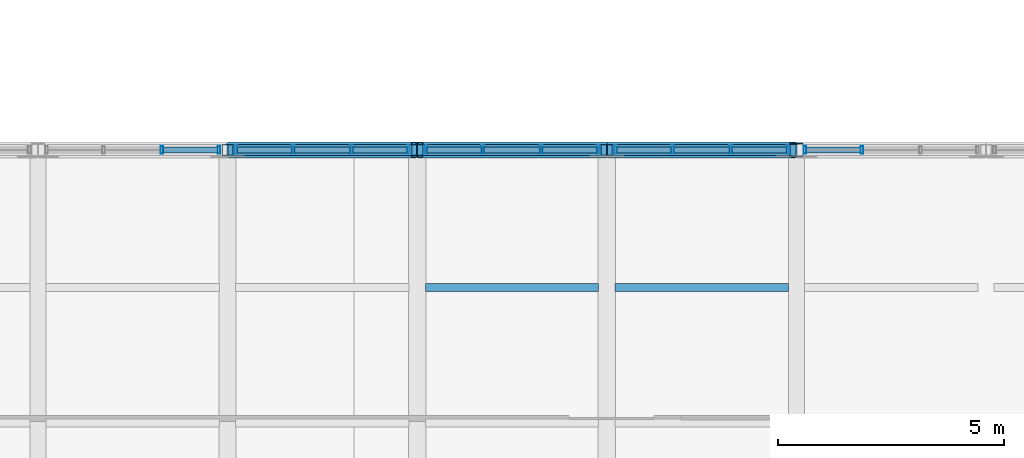
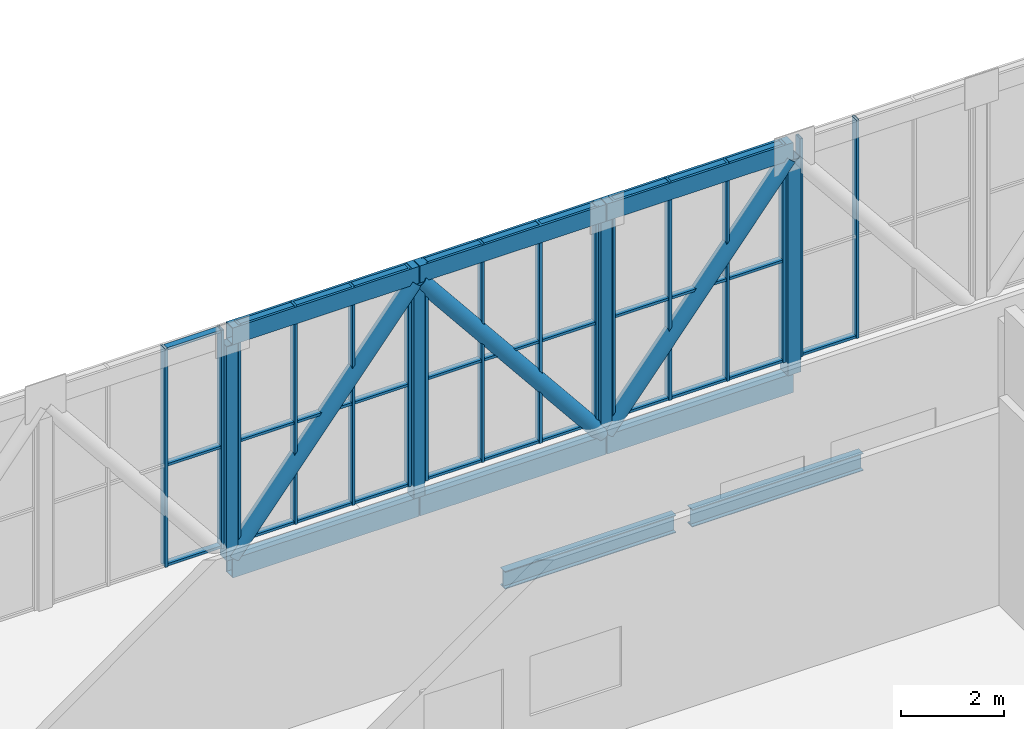
# One storey, part 22 of 58: 60 members, 2 beams, 5 elements without a shape of their own.
"""IFC4 building model written with IfcOpenShell, lengths in metres."""

from ifc_helpers import new_model, si_unit, direction, frame, origin, origin_2d, place, context, subcontext, project, spatial, hollow_rectangle, hollow_circle, i_section, extrude, material, material_profile, profile_set, type_object, element, aggregate, save


model = new_model("IFC4")

# Units and contexts
model_context = context("Model", 3, precision=1e-05, world=origin(), true_north=direction((0.0, 1.0)))
body_context = subcontext(model_context, "Body", "Model", "MODEL_VIEW")
ifc_project = project(units=[si_unit("LENGTHUNIT", "METRE"), si_unit("AREAUNIT", "SQUARE_METRE"), si_unit("VOLUMEUNIT", "CUBIC_METRE"), si_unit("PLANEANGLEUNIT", "RADIAN"), si_unit("MASSUNIT", "GRAM", prefix="KILO")], contexts=[model_context])

# Site, building, storey
site_placement = place(None, origin())
site = spatial("IfcSite", under=ifc_project, at=site_placement, CompositionType="ELEMENT")
building_placement = place(site_placement, origin())
building = spatial("IfcBuilding", under=site, at=building_placement, Name="Khurvash Pelagic Aquarium", CompositionType="ELEMENT")
storey_placement = place(building_placement, frame((0.0, 0.0, 24.60009765625)))
storey = spatial("IfcBuildingStorey", under=building, at=storey_placement, Name="L05", CompositionType="ELEMENT", Elevation=24.60009765625)

# Curtain wall, members
ifc_material_1 = material(Name="Anodised aluminium and low-E laminated glass", Category="aluminium")
curtain_wall_type = type_object("IfcCurtainWallType", Name="CW-01", PredefinedType="USERDEFINED", material=ifc_material_1)
curtain_wall_1_placement = place(storey_placement, origin())
curtain_wall_1 = element("IfcCurtainWall", 1, at=curtain_wall_1_placement, inside=storey, type_object=curtain_wall_type, Name="L05 North Sky-Bar Unitised Curtain Wall CW-01 P08", ObjectType="UNITISED CURTAIN WALL", PredefinedType="USERDEFINED")
ifc_material_2 = material(Name="Extruded aluminium AW-6063-T6", Category="aluminium")
ifc_material_profile_1 = material_profile(ifc_material_2, hollow_rectangle(XDim=0.06005859375, YDim=0.179931640625, WallThickness=0.00390625, at=origin_2d()), Name="CWM60X180X4")
ifc_profile_set_1 = profile_set([ifc_material_profile_1], Name="Extruded aluminium AW-6063-T6")
member_type_1 = type_object("IfcMemberType", Name="CM-01", PredefinedType="MULLION", material=ifc_profile_set_1)
member_1_placement = place(storey_placement, frame((44.74658203125, 29.75, 0.0), z_axis=(0.0, 0.0, 1.0), x_axis=(1.0, 0.0, 0.0)))
member_1 = element("IfcMember", 2, at=member_1_placement, type_object=member_type_1, Name="CW-01 mullion 3", PredefinedType="MULLION", context=body_context, shape_type="SweptSolid", body=[
    extrude(hollow_rectangle(XDim=0.06005859375, YDim=0.179931640625, WallThickness=0.00390625, at=origin_2d()), origin(), (0.0, 0.0, 1.0), 5.179931640625),
])
member_2_placement = place(storey_placement, frame((46.010009765625, 29.75, 0.0), z_axis=(0.0, 0.0, 1.0), x_axis=(1.0, 0.0, 0.0)))
member_2 = element("IfcMember", 3, at=member_2_placement, type_object=member_type_1, Name="CW-01 mullion 4", PredefinedType="MULLION", context=body_context, shape_type="SweptSolid", body=[
    extrude(hollow_rectangle(XDim=0.06005859375, YDim=0.179931640625, WallThickness=0.00390625, at=origin_2d()), origin(), (0.0, 0.0, 1.0), 5.179931640625),
])

curtain_wall_2_placement = place(storey_placement, origin())
curtain_wall_2 = element("IfcCurtainWall", 4, at=curtain_wall_2_placement, inside=storey, type_object=curtain_wall_type, Name="L05 North Sky-Bar Unitised Curtain Wall CW-01 P09", ObjectType="UNITISED CURTAIN WALL", PredefinedType="USERDEFINED")
member_3_placement = place(storey_placement, frame((46.389892578125, 29.75, 0.0), z_axis=(0.0, 0.0, 1.0), x_axis=(1.0, 0.0, 0.0)))
member_3 = element("IfcMember", 5, at=member_3_placement, type_object=member_type_1, Name="CW-01 mullion 1", PredefinedType="MULLION", context=body_context, shape_type="SweptSolid", body=[
    extrude(hollow_rectangle(XDim=0.06005859375, YDim=0.179931640625, WallThickness=0.00390625, at=origin_2d()), origin(), (0.0, 0.0, 1.0), 5.179931640625),
])
member_4_placement = place(storey_placement, frame((47.6533203125, 29.75, 0.0), z_axis=(0.0, 0.0, 1.0), x_axis=(1.0, 0.0, 0.0)))
member_4 = element("IfcMember", 6, at=member_4_placement, type_object=member_type_1, Name="CW-01 mullion 2", PredefinedType="MULLION", context=body_context, shape_type="SweptSolid", body=[
    extrude(hollow_rectangle(XDim=0.06005859375, YDim=0.179931640625, WallThickness=0.00390625, at=origin_2d()), origin(), (0.0, 0.0, 1.0), 5.179931640625),
])
member_5_placement = place(storey_placement, frame((48.94677734375, 29.75, 0.0), z_axis=(0.0, 0.0, 1.0), x_axis=(1.0, 0.0, 0.0)))
member_5 = element("IfcMember", 7, at=member_5_placement, type_object=member_type_1, Name="CW-01 mullion 3", PredefinedType="MULLION", context=body_context, shape_type="SweptSolid", body=[
    extrude(hollow_rectangle(XDim=0.06005859375, YDim=0.179931640625, WallThickness=0.00390625, at=origin_2d()), origin(), (0.0, 0.0, 1.0), 5.179931640625),
])
member_6_placement = place(storey_placement, frame((50.2099609375, 29.75, 0.0), z_axis=(0.0, 0.0, 1.0), x_axis=(1.0, 0.0, 0.0)))
member_6 = element("IfcMember", 8, at=member_6_placement, type_object=member_type_1, Name="CW-01 mullion 4", PredefinedType="MULLION", context=body_context, shape_type="SweptSolid", body=[
    extrude(hollow_rectangle(XDim=0.06005859375, YDim=0.179931640625, WallThickness=0.00390625, at=origin_2d()), origin(), (0.0, 0.0, 1.0), 5.179931640625),
])

curtain_wall_3_placement = place(storey_placement, origin())
curtain_wall_3 = element("IfcCurtainWall", 9, at=curtain_wall_3_placement, inside=storey, type_object=curtain_wall_type, Name="L05 North Sky-Bar Unitised Curtain Wall CW-01 P10", ObjectType="UNITISED CURTAIN WALL", PredefinedType="USERDEFINED")
member_7_placement = place(storey_placement, frame((50.590087890625, 29.75, 0.0), z_axis=(0.0, 0.0, 1.0), x_axis=(1.0, 0.0, 0.0)))
member_7 = element("IfcMember", 10, at=member_7_placement, type_object=member_type_1, Name="CW-01 mullion 1", PredefinedType="MULLION", context=body_context, shape_type="SweptSolid", body=[
    extrude(hollow_rectangle(XDim=0.06005859375, YDim=0.179931640625, WallThickness=0.00390625, at=origin_2d()), origin(), (0.0, 0.0, 1.0), 5.179931640625),
])
member_8_placement = place(storey_placement, frame((51.853271484375, 29.75, 0.0), z_axis=(0.0, 0.0, 1.0), x_axis=(1.0, 0.0, 0.0)))
member_8 = element("IfcMember", 11, at=member_8_placement, type_object=member_type_1, Name="CW-01 mullion 2", PredefinedType="MULLION", context=body_context, shape_type="SweptSolid", body=[
    extrude(hollow_rectangle(XDim=0.06005859375, YDim=0.179931640625, WallThickness=0.00390625, at=origin_2d()), origin(), (0.0, 0.0, 1.0), 5.179931640625),
])
member_9_placement = place(storey_placement, frame((53.146728515625, 29.75, 0.0), z_axis=(0.0, 0.0, 1.0), x_axis=(1.0, 0.0, 0.0)))
member_9 = element("IfcMember", 12, at=member_9_placement, type_object=member_type_1, Name="CW-01 mullion 3", PredefinedType="MULLION", context=body_context, shape_type="SweptSolid", body=[
    extrude(hollow_rectangle(XDim=0.06005859375, YDim=0.179931640625, WallThickness=0.00390625, at=origin_2d()), origin(), (0.0, 0.0, 1.0), 5.179931640625),
])
member_10_placement = place(storey_placement, frame((54.409912109375, 29.75, 0.0), z_axis=(0.0, 0.0, 1.0), x_axis=(1.0, 0.0, 0.0)))
member_10 = element("IfcMember", 13, at=member_10_placement, type_object=member_type_1, Name="CW-01 mullion 4", PredefinedType="MULLION", context=body_context, shape_type="SweptSolid", body=[
    extrude(hollow_rectangle(XDim=0.06005859375, YDim=0.179931640625, WallThickness=0.00390625, at=origin_2d()), origin(), (0.0, 0.0, 1.0), 5.179931640625),
])

curtain_wall_4_placement = place(storey_placement, origin())
curtain_wall_4 = element("IfcCurtainWall", 14, at=curtain_wall_4_placement, inside=storey, type_object=curtain_wall_type, Name="L05 North Sky-Bar Unitised Curtain Wall CW-01 P11", ObjectType="UNITISED CURTAIN WALL", PredefinedType="USERDEFINED")
member_11_placement = place(storey_placement, frame((54.7900390625, 29.75, 0.0), z_axis=(0.0, 0.0, 1.0), x_axis=(1.0, 0.0, 0.0)))
member_11 = element("IfcMember", 15, at=member_11_placement, type_object=member_type_1, Name="CW-01 mullion 1", PredefinedType="MULLION", context=body_context, shape_type="SweptSolid", body=[
    extrude(hollow_rectangle(XDim=0.06005859375, YDim=0.179931640625, WallThickness=0.00390625, at=origin_2d()), origin(), (0.0, 0.0, 1.0), 5.179931640625),
])
member_12_placement = place(storey_placement, frame((56.05322265625, 29.75, 0.0), z_axis=(0.0, 0.0, 1.0), x_axis=(1.0, 0.0, 0.0)))
member_12 = element("IfcMember", 16, at=member_12_placement, type_object=member_type_1, Name="CW-01 mullion 2", PredefinedType="MULLION", context=body_context, shape_type="SweptSolid", body=[
    extrude(hollow_rectangle(XDim=0.06005859375, YDim=0.179931640625, WallThickness=0.00390625, at=origin_2d()), origin(), (0.0, 0.0, 1.0), 5.179931640625),
])
member_13_placement = place(storey_placement, frame((57.3466796875, 29.75, 0.0), z_axis=(0.0, 0.0, 1.0), x_axis=(1.0, 0.0, 0.0)))
member_13 = element("IfcMember", 17, at=member_13_placement, type_object=member_type_1, Name="CW-01 mullion 3", PredefinedType="MULLION", context=body_context, shape_type="SweptSolid", body=[
    extrude(hollow_rectangle(XDim=0.06005859375, YDim=0.179931640625, WallThickness=0.00390625, at=origin_2d()), origin(), (0.0, 0.0, 1.0), 5.179931640625),
])
member_14_placement = place(storey_placement, frame((58.610107421875, 29.75, 0.0), z_axis=(0.0, 0.0, 1.0), x_axis=(1.0, 0.0, 0.0)))
member_14 = element("IfcMember", 18, at=member_14_placement, type_object=member_type_1, Name="CW-01 mullion 4", PredefinedType="MULLION", context=body_context, shape_type="SweptSolid", body=[
    extrude(hollow_rectangle(XDim=0.06005859375, YDim=0.179931640625, WallThickness=0.00390625, at=origin_2d()), origin(), (0.0, 0.0, 1.0), 5.179931640625),
])

curtain_wall_5_placement = place(storey_placement, origin())
curtain_wall_5 = element("IfcCurtainWall", 19, at=curtain_wall_5_placement, inside=storey, type_object=curtain_wall_type, Name="L05 North Sky-Bar Unitised Curtain Wall CW-01 P12", ObjectType="UNITISED CURTAIN WALL", PredefinedType="USERDEFINED")
member_15_placement = place(storey_placement, frame((58.989990234375, 29.75, 0.0), z_axis=(0.0, 0.0, 1.0), x_axis=(1.0, 0.0, 0.0)))
member_15 = element("IfcMember", 20, at=member_15_placement, type_object=member_type_1, Name="CW-01 mullion 1", PredefinedType="MULLION", context=body_context, shape_type="SweptSolid", body=[
    extrude(hollow_rectangle(XDim=0.06005859375, YDim=0.179931640625, WallThickness=0.00390625, at=origin_2d()), origin(), (0.0, 0.0, 1.0), 5.179931640625),
])
member_16_placement = place(storey_placement, frame((60.25341796875, 29.75, 0.0), z_axis=(0.0, 0.0, 1.0), x_axis=(1.0, 0.0, 0.0)))
member_16 = element("IfcMember", 21, at=member_16_placement, type_object=member_type_1, Name="CW-01 mullion 2", PredefinedType="MULLION", context=body_context, shape_type="SweptSolid", body=[
    extrude(hollow_rectangle(XDim=0.06005859375, YDim=0.179931640625, WallThickness=0.00390625, at=origin_2d()), origin(), (0.0, 0.0, 1.0), 5.179931640625),
])

# Member
ifc_material_profile_2 = material_profile(ifc_material_2, hollow_rectangle(XDim=0.139892578125, YDim=0.06005859375, WallThickness=0.00390625, at=origin_2d()), Name="CWT140X60X4")
ifc_profile_set_2 = profile_set([ifc_material_profile_2], Name="Extruded aluminium AW-6063-T6")
member_type_2 = type_object("IfcMemberType", Name="CT-01", PredefinedType="USERDEFINED", material=ifc_profile_set_2)
member_17_placement = place(storey_placement, frame((44.776611328125, 29.75, 0.02978515625), z_axis=(1.0, 0.0, 0.0), x_axis=(0.0, 1.0, 0.0)))
member_17 = element("IfcMember", 22, at=member_17_placement, type_object=member_type_2, Name="CW-01 transom 3.1", ObjectType="TRANSOM", PredefinedType="USERDEFINED", context=body_context, shape_type="SweptSolid", body=[
    extrude(hollow_rectangle(XDim=0.139892578125, YDim=0.06005859375, WallThickness=0.00390625, at=origin_2d()), origin(), (0.0, 0.0, 1.0), 1.203369140625),
])

member_18_placement = place(storey_placement, frame((44.776611328125, 29.75, 2.39990234375), z_axis=(1.0, 0.0, 0.0), x_axis=(0.0, 1.0, 0.0)))
member_18 = element("IfcMember", 23, at=member_18_placement, type_object=member_type_2, Name="CW-01 transom 3.2", ObjectType="TRANSOM", PredefinedType="USERDEFINED", context=body_context, shape_type="SweptSolid", body=[
    extrude(hollow_rectangle(XDim=0.139892578125, YDim=0.06005859375, WallThickness=0.00390625, at=origin_2d()), origin(), (0.0, 0.0, 1.0), 1.203369140625),
])

member_19_placement = place(storey_placement, frame((44.776611328125, 29.75, 5.14990234375), z_axis=(1.0, 0.0, 0.0), x_axis=(0.0, 1.0, 0.0)))
member_19 = element("IfcMember", 24, at=member_19_placement, type_object=member_type_2, Name="CW-01 transom 3.3", ObjectType="TRANSOM", PredefinedType="USERDEFINED", context=body_context, shape_type="SweptSolid", body=[
    extrude(hollow_rectangle(XDim=0.139892578125, YDim=0.06005859375, WallThickness=0.00390625, at=origin_2d()), origin(), (0.0, 0.0, 1.0), 1.203369140625),
])

aggregate(curtain_wall_1, [member_1, member_2, member_17, member_18, member_19])

member_20_placement = place(storey_placement, frame((46.419921875, 29.75, 0.02978515625), z_axis=(1.0, 0.0, 0.0), x_axis=(0.0, 1.0, 0.0)))
member_20 = element("IfcMember", 25, at=member_20_placement, type_object=member_type_2, Name="CW-01 transom 1.1", ObjectType="TRANSOM", PredefinedType="USERDEFINED", context=body_context, shape_type="SweptSolid", body=[
    extrude(hollow_rectangle(XDim=0.139892578125, YDim=0.06005859375, WallThickness=0.00390625, at=origin_2d()), origin(), (0.0, 0.0, 1.0), 1.203369140625),
])

member_21_placement = place(storey_placement, frame((46.419921875, 29.75, 2.39990234375), z_axis=(1.0, 0.0, 0.0), x_axis=(0.0, 1.0, 0.0)))
member_21 = element("IfcMember", 26, at=member_21_placement, type_object=member_type_2, Name="CW-01 transom 1.2", ObjectType="TRANSOM", PredefinedType="USERDEFINED", context=body_context, shape_type="SweptSolid", body=[
    extrude(hollow_rectangle(XDim=0.139892578125, YDim=0.06005859375, WallThickness=0.00390625, at=origin_2d()), origin(), (0.0, 0.0, 1.0), 1.203369140625),
])

member_22_placement = place(storey_placement, frame((46.419921875, 29.75, 5.14990234375), z_axis=(1.0, 0.0, 0.0), x_axis=(0.0, 1.0, 0.0)))
member_22 = element("IfcMember", 27, at=member_22_placement, type_object=member_type_2, Name="CW-01 transom 1.3", ObjectType="TRANSOM", PredefinedType="USERDEFINED", context=body_context, shape_type="SweptSolid", body=[
    extrude(hollow_rectangle(XDim=0.139892578125, YDim=0.06005859375, WallThickness=0.00390625, at=origin_2d()), origin(), (0.0, 0.0, 1.0), 1.203369140625),
])

member_23_placement = place(storey_placement, frame((47.683349609375, 29.75, 0.02978515625), z_axis=(1.0, 0.0, 0.0), x_axis=(0.0, 1.0, 0.0)))
member_23 = element("IfcMember", 28, at=member_23_placement, type_object=member_type_2, Name="CW-01 transom 2.1", ObjectType="TRANSOM", PredefinedType="USERDEFINED", context=body_context, shape_type="SweptSolid", body=[
    extrude(hollow_rectangle(XDim=0.139892578125, YDim=0.06005859375, WallThickness=0.00390625, at=origin_2d()), origin(), (0.0, 0.0, 1.0), 1.2333984375),
])

member_24_placement = place(storey_placement, frame((47.683349609375, 29.75, 2.39990234375), z_axis=(1.0, 0.0, 0.0), x_axis=(0.0, 1.0, 0.0)))
member_24 = element("IfcMember", 29, at=member_24_placement, type_object=member_type_2, Name="CW-01 transom 2.2", ObjectType="TRANSOM", PredefinedType="USERDEFINED", context=body_context, shape_type="SweptSolid", body=[
    extrude(hollow_rectangle(XDim=0.139892578125, YDim=0.06005859375, WallThickness=0.00390625, at=origin_2d()), origin(), (0.0, 0.0, 1.0), 1.2333984375),
])

member_25_placement = place(storey_placement, frame((47.683349609375, 29.75, 5.14990234375), z_axis=(1.0, 0.0, 0.0), x_axis=(0.0, 1.0, 0.0)))
member_25 = element("IfcMember", 30, at=member_25_placement, type_object=member_type_2, Name="CW-01 transom 2.3", ObjectType="TRANSOM", PredefinedType="USERDEFINED", context=body_context, shape_type="SweptSolid", body=[
    extrude(hollow_rectangle(XDim=0.139892578125, YDim=0.06005859375, WallThickness=0.00390625, at=origin_2d()), origin(), (0.0, 0.0, 1.0), 1.2333984375),
])

member_26_placement = place(storey_placement, frame((48.9765625, 29.75, 0.02978515625), z_axis=(1.0, 0.0, 0.0), x_axis=(0.0, 1.0, 0.0)))
member_26 = element("IfcMember", 31, at=member_26_placement, type_object=member_type_2, Name="CW-01 transom 3.1", ObjectType="TRANSOM", PredefinedType="USERDEFINED", context=body_context, shape_type="SweptSolid", body=[
    extrude(hollow_rectangle(XDim=0.139892578125, YDim=0.06005859375, WallThickness=0.00390625, at=origin_2d()), origin(), (0.0, 0.0, 1.0), 1.203369140625),
])

member_27_placement = place(storey_placement, frame((48.9765625, 29.75, 2.39990234375), z_axis=(1.0, 0.0, 0.0), x_axis=(0.0, 1.0, 0.0)))
member_27 = element("IfcMember", 32, at=member_27_placement, type_object=member_type_2, Name="CW-01 transom 3.2", ObjectType="TRANSOM", PredefinedType="USERDEFINED", context=body_context, shape_type="SweptSolid", body=[
    extrude(hollow_rectangle(XDim=0.139892578125, YDim=0.06005859375, WallThickness=0.00390625, at=origin_2d()), origin(), (0.0, 0.0, 1.0), 1.203369140625),
])

member_28_placement = place(storey_placement, frame((48.9765625, 29.75, 5.14990234375), z_axis=(1.0, 0.0, 0.0), x_axis=(0.0, 1.0, 0.0)))
member_28 = element("IfcMember", 33, at=member_28_placement, type_object=member_type_2, Name="CW-01 transom 3.3", ObjectType="TRANSOM", PredefinedType="USERDEFINED", context=body_context, shape_type="SweptSolid", body=[
    extrude(hollow_rectangle(XDim=0.139892578125, YDim=0.06005859375, WallThickness=0.00390625, at=origin_2d()), origin(), (0.0, 0.0, 1.0), 1.203369140625),
])

aggregate(curtain_wall_2, [member_3, member_4, member_5, member_6, member_20, member_21, member_22, member_23, member_24, member_25, member_26, member_27, member_28])

member_29_placement = place(storey_placement, frame((50.6201171875, 29.75, 0.02978515625), z_axis=(1.0, 0.0, 0.0), x_axis=(0.0, 1.0, 0.0)))
member_29 = element("IfcMember", 34, at=member_29_placement, type_object=member_type_2, Name="CW-01 transom 1.1", ObjectType="TRANSOM", PredefinedType="USERDEFINED", context=body_context, shape_type="SweptSolid", body=[
    extrude(hollow_rectangle(XDim=0.139892578125, YDim=0.06005859375, WallThickness=0.00390625, at=origin_2d()), origin(), (0.0, 0.0, 1.0), 1.203125),
])

member_30_placement = place(storey_placement, frame((50.6201171875, 29.75, 2.39990234375), z_axis=(1.0, 0.0, 0.0), x_axis=(0.0, 1.0, 0.0)))
member_30 = element("IfcMember", 35, at=member_30_placement, type_object=member_type_2, Name="CW-01 transom 1.2", ObjectType="TRANSOM", PredefinedType="USERDEFINED", context=body_context, shape_type="SweptSolid", body=[
    extrude(hollow_rectangle(XDim=0.139892578125, YDim=0.06005859375, WallThickness=0.00390625, at=origin_2d()), origin(), (0.0, 0.0, 1.0), 1.203125),
])

member_31_placement = place(storey_placement, frame((50.6201171875, 29.75, 5.14990234375), z_axis=(1.0, 0.0, 0.0), x_axis=(0.0, 1.0, 0.0)))
member_31 = element("IfcMember", 36, at=member_31_placement, type_object=member_type_2, Name="CW-01 transom 1.3", ObjectType="TRANSOM", PredefinedType="USERDEFINED", context=body_context, shape_type="SweptSolid", body=[
    extrude(hollow_rectangle(XDim=0.139892578125, YDim=0.06005859375, WallThickness=0.00390625, at=origin_2d()), origin(), (0.0, 0.0, 1.0), 1.203125),
])

member_32_placement = place(storey_placement, frame((51.88330078125, 29.75, 0.02978515625), z_axis=(1.0, 0.0, 0.0), x_axis=(0.0, 1.0, 0.0)))
member_32 = element("IfcMember", 37, at=member_32_placement, type_object=member_type_2, Name="CW-01 transom 2.1", ObjectType="TRANSOM", PredefinedType="USERDEFINED", context=body_context, shape_type="SweptSolid", body=[
    extrude(hollow_rectangle(XDim=0.139892578125, YDim=0.06005859375, WallThickness=0.00390625, at=origin_2d()), origin(), (0.0, 0.0, 1.0), 1.2333984375),
])

member_33_placement = place(storey_placement, frame((51.88330078125, 29.75, 2.39990234375), z_axis=(1.0, 0.0, 0.0), x_axis=(0.0, 1.0, 0.0)))
member_33 = element("IfcMember", 38, at=member_33_placement, type_object=member_type_2, Name="CW-01 transom 2.2", ObjectType="TRANSOM", PredefinedType="USERDEFINED", context=body_context, shape_type="SweptSolid", body=[
    extrude(hollow_rectangle(XDim=0.139892578125, YDim=0.06005859375, WallThickness=0.00390625, at=origin_2d()), origin(), (0.0, 0.0, 1.0), 1.2333984375),
])

member_34_placement = place(storey_placement, frame((51.88330078125, 29.75, 5.14990234375), z_axis=(1.0, 0.0, 0.0), x_axis=(0.0, 1.0, 0.0)))
member_34 = element("IfcMember", 39, at=member_34_placement, type_object=member_type_2, Name="CW-01 transom 2.3", ObjectType="TRANSOM", PredefinedType="USERDEFINED", context=body_context, shape_type="SweptSolid", body=[
    extrude(hollow_rectangle(XDim=0.139892578125, YDim=0.06005859375, WallThickness=0.00390625, at=origin_2d()), origin(), (0.0, 0.0, 1.0), 1.2333984375),
])

member_35_placement = place(storey_placement, frame((53.1767578125, 29.75, 0.02978515625), z_axis=(1.0, 0.0, 0.0), x_axis=(0.0, 1.0, 0.0)))
member_35 = element("IfcMember", 40, at=member_35_placement, type_object=member_type_2, Name="CW-01 transom 3.1", ObjectType="TRANSOM", PredefinedType="USERDEFINED", context=body_context, shape_type="SweptSolid", body=[
    extrude(hollow_rectangle(XDim=0.139892578125, YDim=0.06005859375, WallThickness=0.00390625, at=origin_2d()), origin(), (0.0, 0.0, 1.0), 1.203125),
])

member_36_placement = place(storey_placement, frame((53.1767578125, 29.75, 2.39990234375), z_axis=(1.0, 0.0, 0.0), x_axis=(0.0, 1.0, 0.0)))
member_36 = element("IfcMember", 41, at=member_36_placement, type_object=member_type_2, Name="CW-01 transom 3.2", ObjectType="TRANSOM", PredefinedType="USERDEFINED", context=body_context, shape_type="SweptSolid", body=[
    extrude(hollow_rectangle(XDim=0.139892578125, YDim=0.06005859375, WallThickness=0.00390625, at=origin_2d()), origin(), (0.0, 0.0, 1.0), 1.203125),
])

member_37_placement = place(storey_placement, frame((53.1767578125, 29.75, 5.14990234375), z_axis=(1.0, 0.0, 0.0), x_axis=(0.0, 1.0, 0.0)))
member_37 = element("IfcMember", 42, at=member_37_placement, type_object=member_type_2, Name="CW-01 transom 3.3", ObjectType="TRANSOM", PredefinedType="USERDEFINED", context=body_context, shape_type="SweptSolid", body=[
    extrude(hollow_rectangle(XDim=0.139892578125, YDim=0.06005859375, WallThickness=0.00390625, at=origin_2d()), origin(), (0.0, 0.0, 1.0), 1.203125),
])

aggregate(curtain_wall_3, [member_7, member_8, member_9, member_10, member_29, member_30, member_31, member_32, member_33, member_34, member_35, member_36, member_37])

member_38_placement = place(storey_placement, frame((54.820068359375, 29.75, 0.02978515625), z_axis=(1.0, 0.0, 0.0), x_axis=(0.0, 1.0, 0.0)))
member_38 = element("IfcMember", 43, at=member_38_placement, type_object=member_type_2, Name="CW-01 transom 1.1", ObjectType="TRANSOM", PredefinedType="USERDEFINED", context=body_context, shape_type="SweptSolid", body=[
    extrude(hollow_rectangle(XDim=0.139892578125, YDim=0.06005859375, WallThickness=0.00390625, at=origin_2d()), origin(), (0.0, 0.0, 1.0), 1.203369140625),
])

member_39_placement = place(storey_placement, frame((54.820068359375, 29.75, 2.39990234375), z_axis=(1.0, 0.0, 0.0), x_axis=(0.0, 1.0, 0.0)))
member_39 = element("IfcMember", 44, at=member_39_placement, type_object=member_type_2, Name="CW-01 transom 1.2", ObjectType="TRANSOM", PredefinedType="USERDEFINED", context=body_context, shape_type="SweptSolid", body=[
    extrude(hollow_rectangle(XDim=0.139892578125, YDim=0.06005859375, WallThickness=0.00390625, at=origin_2d()), origin(), (0.0, 0.0, 1.0), 1.203369140625),
])

member_40_placement = place(storey_placement, frame((54.820068359375, 29.75, 5.14990234375), z_axis=(1.0, 0.0, 0.0), x_axis=(0.0, 1.0, 0.0)))
member_40 = element("IfcMember", 45, at=member_40_placement, type_object=member_type_2, Name="CW-01 transom 1.3", ObjectType="TRANSOM", PredefinedType="USERDEFINED", context=body_context, shape_type="SweptSolid", body=[
    extrude(hollow_rectangle(XDim=0.139892578125, YDim=0.06005859375, WallThickness=0.00390625, at=origin_2d()), origin(), (0.0, 0.0, 1.0), 1.203369140625),
])

member_41_placement = place(storey_placement, frame((56.083251953125, 29.75, 0.02978515625), z_axis=(1.0, 0.0, 0.0), x_axis=(0.0, 1.0, 0.0)))
member_41 = element("IfcMember", 46, at=member_41_placement, type_object=member_type_2, Name="CW-01 transom 2.1", ObjectType="TRANSOM", PredefinedType="USERDEFINED", context=body_context, shape_type="SweptSolid", body=[
    extrude(hollow_rectangle(XDim=0.139892578125, YDim=0.06005859375, WallThickness=0.00390625, at=origin_2d()), origin(), (0.0, 0.0, 1.0), 1.2333984375),
])

member_42_placement = place(storey_placement, frame((56.083251953125, 29.75, 2.39990234375), z_axis=(1.0, 0.0, 0.0), x_axis=(0.0, 1.0, 0.0)))
member_42 = element("IfcMember", 47, at=member_42_placement, type_object=member_type_2, Name="CW-01 transom 2.2", ObjectType="TRANSOM", PredefinedType="USERDEFINED", context=body_context, shape_type="SweptSolid", body=[
    extrude(hollow_rectangle(XDim=0.139892578125, YDim=0.06005859375, WallThickness=0.00390625, at=origin_2d()), origin(), (0.0, 0.0, 1.0), 1.2333984375),
])

member_43_placement = place(storey_placement, frame((56.083251953125, 29.75, 5.14990234375), z_axis=(1.0, 0.0, 0.0), x_axis=(0.0, 1.0, 0.0)))
member_43 = element("IfcMember", 48, at=member_43_placement, type_object=member_type_2, Name="CW-01 transom 2.3", ObjectType="TRANSOM", PredefinedType="USERDEFINED", context=body_context, shape_type="SweptSolid", body=[
    extrude(hollow_rectangle(XDim=0.139892578125, YDim=0.06005859375, WallThickness=0.00390625, at=origin_2d()), origin(), (0.0, 0.0, 1.0), 1.2333984375),
])

member_44_placement = place(storey_placement, frame((57.376708984375, 29.75, 0.02978515625), z_axis=(1.0, 0.0, 0.0), x_axis=(0.0, 1.0, 0.0)))
member_44 = element("IfcMember", 49, at=member_44_placement, type_object=member_type_2, Name="CW-01 transom 3.1", ObjectType="TRANSOM", PredefinedType="USERDEFINED", context=body_context, shape_type="SweptSolid", body=[
    extrude(hollow_rectangle(XDim=0.139892578125, YDim=0.06005859375, WallThickness=0.00390625, at=origin_2d()), origin(), (0.0, 0.0, 1.0), 1.203369140625),
])

member_45_placement = place(storey_placement, frame((57.376708984375, 29.75, 2.39990234375), z_axis=(1.0, 0.0, 0.0), x_axis=(0.0, 1.0, 0.0)))
member_45 = element("IfcMember", 50, at=member_45_placement, type_object=member_type_2, Name="CW-01 transom 3.2", ObjectType="TRANSOM", PredefinedType="USERDEFINED", context=body_context, shape_type="SweptSolid", body=[
    extrude(hollow_rectangle(XDim=0.139892578125, YDim=0.06005859375, WallThickness=0.00390625, at=origin_2d()), origin(), (0.0, 0.0, 1.0), 1.203369140625),
])

member_46_placement = place(storey_placement, frame((57.376708984375, 29.75, 5.14990234375), z_axis=(1.0, 0.0, 0.0), x_axis=(0.0, 1.0, 0.0)))
member_46 = element("IfcMember", 51, at=member_46_placement, type_object=member_type_2, Name="CW-01 transom 3.3", ObjectType="TRANSOM", PredefinedType="USERDEFINED", context=body_context, shape_type="SweptSolid", body=[
    extrude(hollow_rectangle(XDim=0.139892578125, YDim=0.06005859375, WallThickness=0.00390625, at=origin_2d()), origin(), (0.0, 0.0, 1.0), 1.203369140625),
])

aggregate(curtain_wall_4, [member_11, member_12, member_13, member_14, member_38, member_39, member_40, member_41, member_42, member_43, member_44, member_45, member_46])

member_47_placement = place(storey_placement, frame((59.02001953125, 29.75, 0.02978515625), z_axis=(1.0, 0.0, 0.0), x_axis=(0.0, 1.0, 0.0)))
member_47 = element("IfcMember", 52, at=member_47_placement, type_object=member_type_2, Name="CW-01 transom 1.1", ObjectType="TRANSOM", PredefinedType="USERDEFINED", context=body_context, shape_type="SweptSolid", body=[
    extrude(hollow_rectangle(XDim=0.139892578125, YDim=0.06005859375, WallThickness=0.00390625, at=origin_2d()), origin(), (0.0, 0.0, 1.0), 1.203369140625),
])

aggregate(curtain_wall_5, [member_15, member_16, member_47])

# Beams
ifc_material_3 = material(Name="Steel ASTM A992 Grade 50", Category="steel")
ifc_material_profile_3 = material_profile(ifc_material_3, i_section(OverallWidth=0.180908203125, OverallDepth=0.4169921875, WebThickness=0.010986328125, FlangeThickness=0.018310546875, at=origin_2d()), Name="W16X57")
ifc_profile_set_3 = profile_set([ifc_material_profile_3], Name="Steel ASTM A992 Grade 50")
beam_type = type_object("IfcBeamType", Name="JS-03", PredefinedType="JOIST", material=ifc_profile_set_3)
beam_1_placement = place(storey_placement, frame((50.580078125, 26.699951171875, -0.508544921875), z_axis=(1.0, 0.0, 0.0), x_axis=(0.0, 1.0, 0.0)))
element("IfcBeam", 53, at=beam_1_placement, inside=storey, type_object=beam_type, Name="L05 Sky-Bar Floor Joist JS-03 P10", PredefinedType="JOIST", context=body_context, shape_type="SweptSolid", body=[
    extrude(i_section(OverallWidth=0.180908203125, OverallDepth=0.4169921875, WebThickness=0.010986328125, FlangeThickness=0.018310546875, at=origin_2d()), origin(), (0.0, 0.0, 1.0), 3.83984375),
])
beam_2_placement = place(storey_placement, frame((54.780029296875, 26.699951171875, -0.508544921875), z_axis=(1.0, 0.0, 0.0), x_axis=(0.0, 1.0, 0.0)))
element("IfcBeam", 54, at=beam_2_placement, inside=storey, type_object=beam_type, Name="L05 Sky-Bar Floor Joist JS-03 P11", PredefinedType="JOIST", context=body_context, shape_type="SweptSolid", body=[
    extrude(i_section(OverallWidth=0.180908203125, OverallDepth=0.4169921875, WebThickness=0.010986328125, FlangeThickness=0.018310546875, at=origin_2d()), origin(), (0.0, 0.0, 1.0), 3.840087890625),
])

# Members
ifc_material_4 = material(Name="Steel S355J2", Category="steel")
ifc_material_profile_4 = material_profile(ifc_material_4, hollow_rectangle(XDim=0.25, YDim=0.449951171875, WallThickness=0.02001953125, at=origin_2d()), Name="RHS450X250X20")
ifc_profile_set_4 = profile_set([ifc_material_profile_4], Name="Steel S355J2")
member_type_3 = type_object("IfcMemberType", Name="TC-01", PredefinedType="CHORD", material=ifc_profile_set_4)
member_48_placement = place(storey_placement, frame((46.2099609375, 29.75, -0.525146484375), z_axis=(1.0, 0.0, 0.0), x_axis=(0.0, 1.0, 0.0)))
element("IfcMember", 55, at=member_48_placement, inside=storey, type_object=member_type_3, Name="L05 North Sky-Bar Warren Truss Bottom Chord TC-01 P09", PredefinedType="CHORD", context=body_context, shape_type="SweptSolid", body=[
    extrude(hollow_rectangle(XDim=0.25, YDim=0.449951171875, WallThickness=0.02001953125, at=origin_2d()), origin(), (0.0, 0.0, 1.0), 4.179931640625),
])
member_49_placement = place(storey_placement, frame((50.409912109375, 29.75, -0.525146484375), z_axis=(1.0, 0.0, 0.0), x_axis=(0.0, 1.0, 0.0)))
element("IfcMember", 56, at=member_49_placement, inside=storey, type_object=member_type_3, Name="L05 North Sky-Bar Warren Truss Bottom Chord TC-01 P10", PredefinedType="CHORD", context=body_context, shape_type="SweptSolid", body=[
    extrude(hollow_rectangle(XDim=0.25, YDim=0.449951171875, WallThickness=0.02001953125, at=origin_2d()), origin(), (0.0, 0.0, 1.0), 4.18017578125),
])
member_50_placement = place(storey_placement, frame((54.610107421875, 29.75, -0.525146484375), z_axis=(1.0, 0.0, 0.0), x_axis=(0.0, 1.0, 0.0)))
element("IfcMember", 57, at=member_50_placement, inside=storey, type_object=member_type_3, Name="L05 North Sky-Bar Warren Truss Bottom Chord TC-01 P11", PredefinedType="CHORD", context=body_context, shape_type="SweptSolid", body=[
    extrude(hollow_rectangle(XDim=0.25, YDim=0.449951171875, WallThickness=0.02001953125, at=origin_2d()), origin(), (0.0, 0.0, 1.0), 4.179931640625),
])
ifc_material_profile_5 = material_profile(ifc_material_4, hollow_rectangle(XDim=0.25, YDim=0.39990234375, WallThickness=0.01611328125, at=origin_2d()), Name="RHS400X250X16")
ifc_profile_set_5 = profile_set([ifc_material_profile_5], Name="Steel S355J2")
member_type_4 = type_object("IfcMemberType", Name="TC-02", PredefinedType="CHORD", material=ifc_profile_set_5)
member_51_placement = place(storey_placement, frame((46.2099609375, 29.75, 4.97998046875), z_axis=(1.0, 0.0, 0.0), x_axis=(0.0, 1.0, 0.0)))
element("IfcMember", 58, at=member_51_placement, inside=storey, type_object=member_type_4, Name="L05 North Sky-Bar Warren Truss Top Chord TC-02 P09", PredefinedType="CHORD", context=body_context, shape_type="SweptSolid", body=[
    extrude(hollow_rectangle(XDim=0.25, YDim=0.39990234375, WallThickness=0.01611328125, at=origin_2d()), origin(), (0.0, 0.0, 1.0), 4.179931640625),
])
member_52_placement = place(storey_placement, frame((50.409912109375, 29.75, 4.97998046875), z_axis=(1.0, 0.0, 0.0), x_axis=(0.0, 1.0, 0.0)))
element("IfcMember", 59, at=member_52_placement, inside=storey, type_object=member_type_4, Name="L05 North Sky-Bar Warren Truss Top Chord TC-02 P10", PredefinedType="CHORD", context=body_context, shape_type="SweptSolid", body=[
    extrude(hollow_rectangle(XDim=0.25, YDim=0.39990234375, WallThickness=0.01611328125, at=origin_2d()), origin(), (0.0, 0.0, 1.0), 4.18017578125),
])
member_53_placement = place(storey_placement, frame((54.610107421875, 29.75, 4.97998046875), z_axis=(1.0, 0.0, 0.0), x_axis=(0.0, 1.0, 0.0)))
element("IfcMember", 60, at=member_53_placement, inside=storey, type_object=member_type_4, Name="L05 North Sky-Bar Warren Truss Top Chord TC-02 P11", PredefinedType="CHORD", context=body_context, shape_type="SweptSolid", body=[
    extrude(hollow_rectangle(XDim=0.25, YDim=0.39990234375, WallThickness=0.01611328125, at=origin_2d()), origin(), (0.0, 0.0, 1.0), 4.179931640625),
])
ifc_material_profile_6 = material_profile(ifc_material_4, hollow_circle(Radius=0.177734375, WallThickness=0.01416015625, at=origin_2d()), Name="CHS355X14")
ifc_profile_set_6 = profile_set([ifc_material_profile_6], Name="Steel S355J2")
member_type_5 = type_object("IfcMemberType", Name="TD-02", PredefinedType="BRACE", material=ifc_profile_set_6)
for number, where, z_axis, x_axis, name in (
    (61, (46.25, 29.75, -0.300048828125), (0.628073304864, 0.0, 0.778154177343), (0.0, 1.0, 0.0), "L05 North Sky-Bar Warren Truss Diagonal TD-02 P09"),
    (62, (50.449951171875, 29.75, 4.77978515625), (0.628073304864, 0.0, -0.778154177343), (0.0, 1.0, 0.0), "L05 North Sky-Bar Warren Truss Diagonal TD-02 P10"),
    (63, (54.64990234375, 29.75, -0.300048828125), (0.628073304864, 0.0, 0.778154177343), (0.0, 1.0, 0.0), "L05 North Sky-Bar Warren Truss Diagonal TD-02 P11"),
):
    element("IfcMember", number, at=place(storey_placement, frame(where, z_axis=z_axis, x_axis=x_axis)), inside=storey, type_object=member_type_5, Name=name, PredefinedType="BRACE", context=body_context, shape_type="SweptSolid", body=[
        extrude(hollow_circle(Radius=0.177734375, WallThickness=0.01416015625, at=origin_2d()), origin(), (0.0, 0.0, 1.0), 6.528076171875),
    ])
ifc_material_profile_7 = material_profile(ifc_material_4, hollow_rectangle(XDim=0.300048828125, YDim=0.300048828125, WallThickness=0.01611328125, at=origin_2d()), Name="SHS300X300X16")
ifc_profile_set_7 = profile_set([ifc_material_profile_7], Name="Steel S355J2")
member_type_6 = type_object("IfcMemberType", Name="TV-01", PredefinedType="POST", material=ifc_profile_set_7)
member_54_placement = place(storey_placement, frame((58.800048828125, 29.75, -0.300048828125), z_axis=(0.0, 0.0, 1.0), x_axis=(1.0, 0.0, 0.0)))
element("IfcMember", 64, at=member_54_placement, inside=storey, type_object=member_type_6, Name="L05 North Sky-Bar Truss Post TV-01 N12", PredefinedType="POST", context=body_context, shape_type="SweptSolid", body=[
    extrude(hollow_rectangle(XDim=0.300048828125, YDim=0.300048828125, WallThickness=0.01611328125, at=origin_2d()), origin(), (0.0, 0.0, 1.0), 5.079833984375),
])
ifc_material_profile_8 = material_profile(ifc_material_4, hollow_rectangle(XDim=0.25, YDim=0.25, WallThickness=0.012451171875, at=origin_2d()), Name="SHS250X250X12")
ifc_profile_set_8 = profile_set([ifc_material_profile_8], Name="Steel S355J2")
member_type_7 = type_object("IfcMemberType", Name="TV-02", PredefinedType="POST", material=ifc_profile_set_8)
for number, where, z_axis, x_axis, name in (
    (65, (46.199951171875, 29.75, -0.300048828125), (0.0, 0.0, 1.0), (1.0, 0.0, 0.0), "L05 North Sky-Bar Truss Post TV-02 N09"),
    (66, (50.39990234375, 29.75, -0.300048828125), (0.0, 0.0, 1.0), (1.0, 0.0, 0.0), "L05 North Sky-Bar Truss Post TV-02 N10"),
    (67, (54.60009765625, 29.75, -0.300048828125), (0.0, 0.0, 1.0), (1.0, 0.0, 0.0), "L05 North Sky-Bar Truss Post TV-02 N11"),
):
    element("IfcMember", number, at=place(storey_placement, frame(where, z_axis=z_axis, x_axis=x_axis)), inside=storey, type_object=member_type_7, Name=name, PredefinedType="POST", context=body_context, shape_type="SweptSolid", body=[
        extrude(hollow_rectangle(XDim=0.25, YDim=0.25, WallThickness=0.012451171875, at=origin_2d()), origin(), (0.0, 0.0, 1.0), 5.079833984375),
    ])

save(model, "model.ifc")
